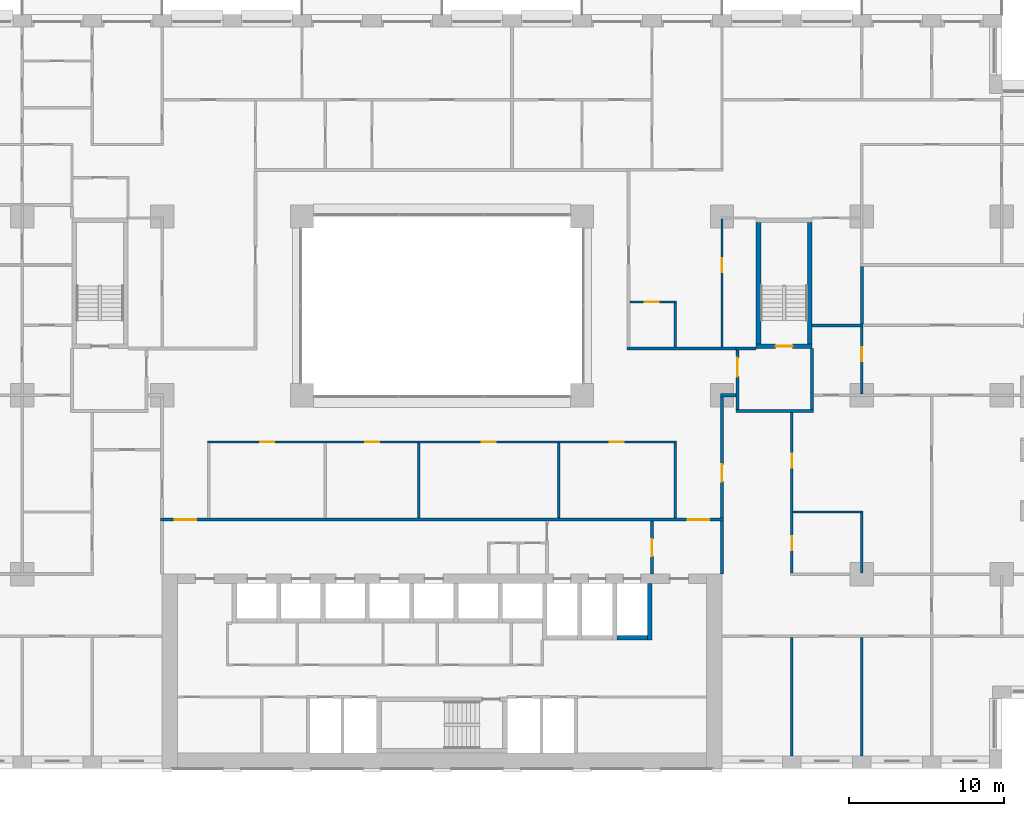
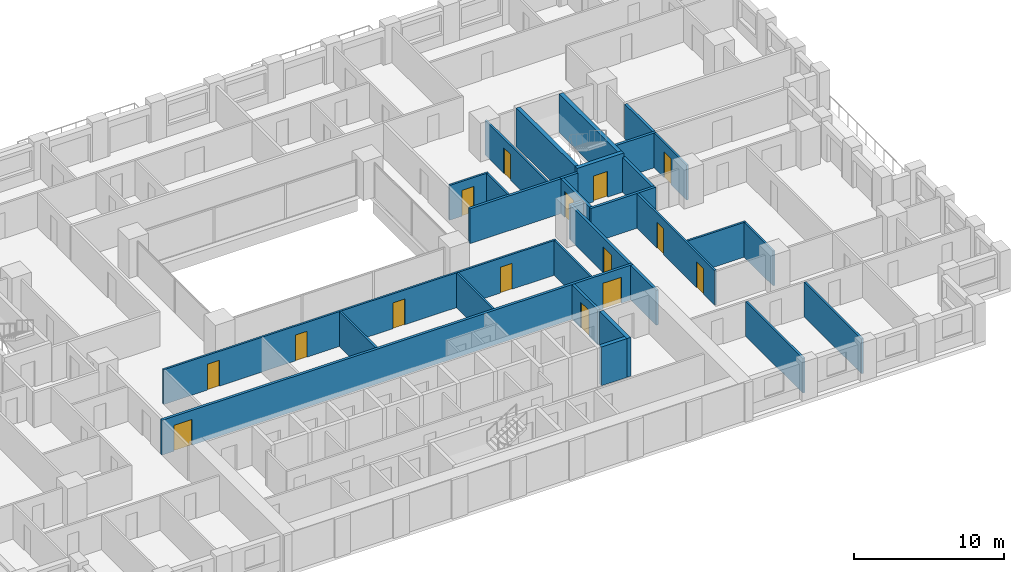
# One storey, part 12 of 19: 30 walls, 15 doors, 15 openings.
"""IFC4 building model written with IfcOpenShell, lengths in metres."""

from ifc_helpers import new_model, si_unit, direction, frame, frame_2d, origin, place, context, subcontext, project, spatial, rectangle, extrude, material, layer, layer_set, type_object, element, fill, save


model = new_model("IFC4")

# Units and contexts
model_context = context("Model", 3, precision=1e-05, world=origin(), true_north=direction((0.0, 1.0)))
body_context = subcontext(model_context, "Body", "Model", "MODEL_VIEW")
ifc_project = project(units=[si_unit("LENGTHUNIT", "METRE"), si_unit("AREAUNIT", "SQUARE_METRE"), si_unit("VOLUMEUNIT", "CUBIC_METRE"), si_unit("PLANEANGLEUNIT", "RADIAN"), si_unit("MASSUNIT", "GRAM", prefix="KILO")], contexts=[model_context])

# Site, building, storey
site_placement = place(None, origin())
site = spatial("IfcSite", under=ifc_project, at=site_placement, CompositionType="ELEMENT")
building_placement = place(site_placement, origin())
building = spatial("IfcBuilding", under=site, at=building_placement, Name="Brigalow Station Residences", CompositionType="ELEMENT")
storey_placement = place(building_placement, frame((0.0, 0.0, 32.10009765625)))
storey = spatial("IfcBuildingStorey", under=building, at=storey_placement, Name="L08", CompositionType="ELEMENT", Elevation=32.10009765625)

# Walls
ifc_material_1 = material(Name="Concrete C80", Category="concrete")
ifc_layer_1 = layer(ifc_material_1, 0.300048828125)
ifc_layer_set_1 = layer_set([ifc_layer_1], Name="CORE SHEAR WALL 300 C80")
wall_type_1 = type_object("IfcWallType", Name="CORE SHEAR WALL 300 C80", PredefinedType="SHEAR", material=ifc_layer_set_1)
wall_1_placement = place(storey_placement, frame((47.25, 8.39990234375, 0.0), z_axis=(0.0, 0.0, 1.0), x_axis=(1.0, 0.0, 0.0)))
element("IfcWall", 1, at=wall_1_placement, inside=storey, type_object=wall_type_1, Name="CORE WALL SH-SL1-S L08", PredefinedType="SHEAR", context=body_context, shape_type="SweptSolid", body=[
    extrude(rectangle(XDim=1.949951171875, YDim=0.300048828125, at=frame_2d((0.97509765625, 0.0))), origin(), (0.0, 0.0, 1.0), 3.14990234375),
])
wall_2_placement = place(storey_placement, frame((49.35009765625, 8.25, 0.0), z_axis=(0.0, 0.0, 1.0), x_axis=(0.0, 1.0, 0.0)))
element("IfcWall", 2, at=wall_2_placement, inside=storey, type_object=wall_type_1, Name="CORE WALL SH-SL1-E L08", PredefinedType="SHEAR", context=body_context, shape_type="SweptSolid", body=[
    extrude(rectangle(XDim=3.64990234375, YDim=0.300048828125, at=frame_2d((1.824951171875, 0.0))), origin(), (0.0, 0.0, 1.0), 3.14990234375),
])

# Wall, opening, door
wall_3_placement = place(storey_placement, frame((56.199951171875, 27.14990234375, 0.0), z_axis=(0.0, 0.0, 1.0), x_axis=(1.0, 0.0, 0.0)))
wall_3 = element("IfcWall", 3, at=wall_3_placement, inside=storey, type_object=wall_type_1, Name="CORE WALL ST-S3-S L08", PredefinedType="SHEAR", context=body_context, shape_type="SweptSolid", body=[
    extrude(rectangle(XDim=3.60009765625, YDim=0.300048828125, at=frame_2d((1.800048828125, 0.0))), origin(), (0.0, 0.0, 1.0), 3.14990234375),
])
opening_1_placement = place(wall_3_placement, frame((1.25, 0.0, 0.0)))
opening_1 = element("IfcOpeningElement", 4, at=opening_1_placement, cuts=wall_3, Name="Opening D-5018", PredefinedType="OPENING", context=body_context, shape_type="SweptSolid", body=[
    extrude(rectangle(XDim=1.10009765625, YDim=2.10009765625, at=frame_2d((0.550048828125, 1.050048828125))), frame((0.0, 0.16015625, 0.0), z_axis=(0.0, -1.0, 0.0), x_axis=(1.0, 0.0, 0.0)), (0.0, 0.0, 1.0), 0.320068359375),
])
ifc_material_2 = material(Name="Steel fire door leaf in steel frame", Category="steel")
door_type_1 = type_object("IfcDoorType", Name="STAIR DOOR 1100 x 2100 FD60S", OperationType="SINGLE_SWING_LEFT", PredefinedType="DOOR", material=ifc_material_2)
door_1_placement = place(opening_1_placement, origin())
door_1 = element("IfcDoor", 5, at=door_1_placement, inside=storey, type_object=door_type_1, Name="D-5018", OperationType="SINGLE_SWING_LEFT", OverallHeight=2.10009765625, OverallWidth=1.10009765625, PredefinedType="DOOR", context=body_context, shape_type="SweptSolid", body=[
    extrude(rectangle(XDim=1.10009765625, YDim=2.10009765625, at=frame_2d((0.550048828125, 1.050048828125))), frame((0.0, 0.02490234375, 0.0), z_axis=(0.0, -1.0, 0.0), x_axis=(1.0, 0.0, 0.0)), (0.0, 0.0, 1.0), 0.050048828125),
])
fill(opening_1, door_1)

# Walls
for number, where, z_axis, x_axis, name in (
    (6, (56.35009765625, 27.300048828125, 0.0), (0.0, 0.0, 1.0), (0.0, 1.0, 0.0), "CORE WALL ST-S3-W L08"),
    (7, (59.64990234375, 27.300048828125, 0.0), (0.0, 0.0, 1.0), (0.0, 1.0, 0.0), "CORE WALL ST-S3-E L08"),
):
    element("IfcWall", number, at=place(storey_placement, frame(where, z_axis=z_axis, x_axis=x_axis)), inside=storey, type_object=wall_type_1, Name=name, PredefinedType="SHEAR", context=body_context, shape_type="SweptSolid", body=[
        extrude(rectangle(XDim=7.800048828125, YDim=0.300048828125, at=frame_2d((3.89990234375, 0.0))), origin(), (0.0, 0.0, 1.0), 3.14990234375),
    ])
ifc_material_3 = material(Name="Concrete blockwork", Category="masonry")
ifc_layer_2 = layer(ifc_material_3, 0.199951171875)
ifc_layer_set_2 = layer_set([ifc_layer_2], Name="FIRE RATED CORE PARTITION 200")
wall_type_2 = type_object("IfcWallType", Name="FIRE RATED CORE PARTITION 200", PredefinedType="PARTITIONING", material=ifc_layer_set_2)
wall_4_placement = place(storey_placement, frame((54.89990234375, 23.0, 0.0), z_axis=(0.0, 0.0, 1.0), x_axis=(1.0, 0.0, 0.0)))
element("IfcWall", 8, at=wall_4_placement, inside=storey, type_object=wall_type_2, Name="PW-5024", PredefinedType="PARTITIONING", context=body_context, shape_type="SweptSolid", body=[
    extrude(rectangle(XDim=5.0, YDim=0.199951171875, at=frame_2d((2.5, 0.0))), origin(), (0.0, 0.0, 1.0), 2.829833984375),
])
wall_5_placement = place(storey_placement, frame((54.89990234375, 27.0, 0.0), z_axis=(0.0, 0.0, 1.0), x_axis=(1.0, 0.0, 0.0)))
element("IfcWall", 9, at=wall_5_placement, inside=storey, type_object=wall_type_2, Name="PW-5026", PredefinedType="PARTITIONING", context=body_context, shape_type="SweptSolid", body=[
    extrude(rectangle(XDim=1.300048828125, YDim=0.199951171875, at=frame_2d((0.64990234375, 0.0))), origin(), (0.0, 0.0, 1.0), 2.829833984375),
])

# Wall, opening, door
wall_6_placement = place(storey_placement, frame((49.5, 12.5, 0.0), z_axis=(0.0, 0.0, 1.0), x_axis=(0.0, 1.0, 0.0)))
wall_6 = element("IfcWall", 10, at=wall_6_placement, inside=storey, type_object=wall_type_2, Name="PW-5015", PredefinedType="PARTITIONING", context=body_context, shape_type="SweptSolid", body=[
    extrude(rectangle(XDim=3.39990234375, YDim=0.199951171875, at=frame_2d((1.699951171875, 0.0))), origin(), (0.0, 0.0, 1.0), 2.829833984375),
])
opening_2_placement = place(wall_6_placement, frame((1.14990234375, 0.0, 0.0)))
opening_2 = element("IfcOpeningElement", 11, at=opening_2_placement, cuts=wall_6, Name="Opening D-5014", PredefinedType="OPENING", context=body_context, shape_type="SweptSolid", body=[
    extrude(rectangle(XDim=1.10009765625, YDim=2.10009765625, at=frame_2d((0.550048828125, 1.050048828125))), frame((0.0, 0.10986328125, 0.0), z_axis=(0.0, -1.0, 0.0), x_axis=(1.0, 0.0, 0.0)), (0.0, 0.0, 1.0), 0.219970703125),
])
ifc_material_4 = material(Name="Steel fire door leaf in steel frame", Category="steel")
door_type_2 = type_object("IfcDoorType", Name="LOBBY DOOR 1100 x 2100 FD60S", OperationType="SINGLE_SWING_LEFT", PredefinedType="DOOR", material=ifc_material_4)
door_2_placement = place(opening_2_placement, origin())
door_2 = element("IfcDoor", 12, at=door_2_placement, inside=storey, type_object=door_type_2, Name="D-5014", OperationType="SINGLE_SWING_RIGHT", OverallHeight=2.10009765625, OverallWidth=1.10009765625, PredefinedType="DOOR", context=body_context, shape_type="SweptSolid", body=[
    extrude(rectangle(XDim=1.10009765625, YDim=2.10009765625, at=frame_2d((0.550048828125, 1.050048828125))), frame((0.0, 0.02490234375, 0.0), z_axis=(0.0, -1.0, 0.0), x_axis=(1.0, 0.0, 0.0)), (0.0, 0.0, 1.0), 0.050048828125),
])
fill(opening_2, door_2)

# Wall
wall_7_placement = place(storey_placement, frame((54.0, 12.5, 0.0), z_axis=(0.0, 0.0, 1.0), x_axis=(0.0, 1.0, 0.0)))
element("IfcWall", 13, at=wall_7_placement, inside=storey, type_object=wall_type_2, Name="PW-5016", PredefinedType="PARTITIONING", context=body_context, shape_type="SweptSolid", body=[
    extrude(rectangle(XDim=3.39990234375, YDim=0.199951171875, at=frame_2d((1.699951171875, 0.0))), origin(), (0.0, 0.0, 1.0), 2.829833984375),
])

# Wall, opening, door
wall_8_placement = place(storey_placement, frame((55.0, 23.10009765625, 0.0), z_axis=(0.0, 0.0, 1.0), x_axis=(0.0, 1.0, 0.0)))
wall_8 = element("IfcWall", 14, at=wall_8_placement, inside=storey, type_object=wall_type_2, Name="PW-5036", PredefinedType="PARTITIONING", context=body_context, shape_type="SweptSolid", body=[
    extrude(rectangle(XDim=3.7998046875, YDim=0.199951171875, at=frame_2d((1.89990234375, 0.0))), origin(), (0.0, 0.0, 1.0), 2.829833984375),
])
opening_3_placement = place(wall_8_placement, frame((2.10009765625, 0.0, 0.0)))
opening_3 = element("IfcOpeningElement", 15, at=opening_3_placement, cuts=wall_8, Name="Opening D-5019", PredefinedType="OPENING", context=body_context, shape_type="SweptSolid", body=[
    extrude(rectangle(XDim=1.199951171875, YDim=2.10009765625, at=frame_2d((0.60009765625, 1.050048828125))), frame((0.0, 0.10986328125, 0.0), z_axis=(0.0, -1.0, 0.0), x_axis=(1.0, 0.0, 0.0)), (0.0, 0.0, 1.0), 0.219970703125),
])
ifc_material_5 = material(Name="Steel fire door leaf in steel frame", Category="steel")
door_type_3 = type_object("IfcDoorType", Name="STAIR LOBBY DOOR 1200 x 2100 FD60S", OperationType="SINGLE_SWING_LEFT", PredefinedType="DOOR", material=ifc_material_5)
door_3_placement = place(opening_3_placement, frame((1.199951171875, 0.0, 0.0), z_axis=(0.0, 0.0, 1.0), x_axis=(-1.0, 0.0, 0.0)))
door_3 = element("IfcDoor", 16, at=door_3_placement, inside=storey, type_object=door_type_3, Name="D-5019", OperationType="SINGLE_SWING_LEFT", OverallHeight=2.10009765625, OverallWidth=1.199951171875, PredefinedType="DOOR", context=body_context, shape_type="SweptSolid", body=[
    extrude(rectangle(XDim=1.199951171875, YDim=2.10009765625, at=frame_2d((0.60009765625, 1.050048828125))), frame((0.0, 0.02490234375, 0.0), z_axis=(0.0, -1.0, 0.0), x_axis=(1.0, 0.0, 0.0)), (0.0, 0.0, 1.0), 0.050048828125),
])
fill(opening_3, door_3)

# Wall
wall_9_placement = place(storey_placement, frame((59.800048828125, 23.10009765625, 0.0), z_axis=(0.0, 0.0, 1.0), x_axis=(0.0, 1.0, 0.0)))
element("IfcWall", 17, at=wall_9_placement, inside=storey, type_object=wall_type_2, Name="PW-5037", PredefinedType="PARTITIONING", context=body_context, shape_type="SweptSolid", body=[
    extrude(rectangle(XDim=3.89990234375, YDim=0.199951171875, at=frame_2d((1.949951171875, 0.0))), origin(), (0.0, 0.0, 1.0), 2.829833984375),
])

# Wall, openings, doors
ifc_material_6 = material(Name="Plasterboard on steel stud partition", Category="steel")
ifc_layer_3 = layer(ifc_material_6, 0.14990234375)
ifc_layer_set_3 = layer_set([ifc_layer_3], Name="FLAT PARTITION 150")
wall_type_3 = type_object("IfcWallType", Name="FLAT PARTITION 150", PredefinedType="PARTITIONING", material=ifc_layer_set_3)
wall_10_placement = place(storey_placement, frame((20.925048828125, 21.0, 0.0), z_axis=(0.0, 0.0, 1.0), x_axis=(1.0, 0.0, 0.0)))
wall_10 = element("IfcWall", 18, at=wall_10_placement, inside=storey, type_object=wall_type_3, Name="PW-1B01", PredefinedType="PARTITIONING", context=body_context, shape_type="SweptSolid", body=[
    extrude(rectangle(XDim=30.14990234375, YDim=0.14990234375, at=frame_2d((15.074951171875, 0.0))), origin(), (0.0, 0.0, 1.0), 2.829833984375),
])
opening_4_placement = place(wall_10_placement, frame((3.375, 0.0, 0.0)))
opening_4 = element("IfcOpeningElement", 19, at=opening_4_placement, cuts=wall_10, Name="Opening D-1B70", PredefinedType="OPENING", context=body_context, shape_type="SweptSolid", body=[
    extrude(rectangle(XDim=0.89990234375, YDim=2.10009765625, at=frame_2d((0.449951171875, 1.050048828125))), frame((0.0, 0.0849609375, 0.0), z_axis=(0.0, -1.0, 0.0), x_axis=(1.0, 0.0, 0.0)), (0.0, 0.0, 1.0), 0.169921875),
])
opening_5_placement = place(wall_10_placement, frame((10.125, 0.0, 0.0)))
opening_5 = element("IfcOpeningElement", 20, at=opening_5_placement, cuts=wall_10, Name="Opening D-1B71", PredefinedType="OPENING", context=body_context, shape_type="SweptSolid", body=[
    extrude(rectangle(XDim=0.89990234375, YDim=2.10009765625, at=frame_2d((0.449951171875, 1.050048828125))), frame((0.0, 0.0849609375, 0.0), z_axis=(0.0, -1.0, 0.0), x_axis=(1.0, 0.0, 0.0)), (0.0, 0.0, 1.0), 0.169921875),
])
opening_6_placement = place(wall_10_placement, frame((17.625, 0.0, 0.0)))
opening_6 = element("IfcOpeningElement", 21, at=opening_6_placement, cuts=wall_10, Name="Opening D-1B72", PredefinedType="OPENING", context=body_context, shape_type="SweptSolid", body=[
    extrude(rectangle(XDim=0.89990234375, YDim=2.10009765625, at=frame_2d((0.449951171875, 1.050048828125))), frame((0.0, 0.0849609375, 0.0), z_axis=(0.0, -1.0, 0.0), x_axis=(1.0, 0.0, 0.0)), (0.0, 0.0, 1.0), 0.169921875),
])
opening_7_placement = place(wall_10_placement, frame((25.875, 0.0, 0.0)))
opening_7 = element("IfcOpeningElement", 22, at=opening_7_placement, cuts=wall_10, Name="Opening D-1B73", PredefinedType="OPENING", context=body_context, shape_type="SweptSolid", body=[
    extrude(rectangle(XDim=0.89990234375, YDim=2.10009765625, at=frame_2d((0.449951171875, 1.050048828125))), frame((0.0, 0.0849609375, 0.0), z_axis=(0.0, -1.0, 0.0), x_axis=(1.0, 0.0, 0.0)), (0.0, 0.0, 1.0), 0.169921875),
])
ifc_material_7 = material(Name="Solid-core timber door leaf", Category="wood")
door_type_4 = type_object("IfcDoorType", Name="INTERNAL DOOR 900 x 2100", OperationType="SINGLE_SWING_LEFT", PredefinedType="DOOR", material=ifc_material_7)
door_4_placement = place(opening_4_placement, frame((0.89990234375, 0.0, 0.0), z_axis=(0.0, 0.0, 1.0), x_axis=(-1.0, 0.0, 0.0)))
door_4 = element("IfcDoor", 23, at=door_4_placement, inside=storey, type_object=door_type_4, Name="D-1B70", OperationType="SINGLE_SWING_LEFT", OverallHeight=2.10009765625, OverallWidth=0.89990234375, PredefinedType="DOOR", context=body_context, shape_type="SweptSolid", body=[
    extrude(rectangle(XDim=0.89990234375, YDim=2.10009765625, at=frame_2d((0.449951171875, 1.050048828125))), frame((0.0, 0.02490234375, 0.0), z_axis=(0.0, -1.0, 0.0), x_axis=(1.0, 0.0, 0.0)), (0.0, 0.0, 1.0), 0.050048828125),
])
fill(opening_4, door_4)
door_5_placement = place(opening_5_placement, frame((0.89990234375, 0.0, 0.0), z_axis=(0.0, 0.0, 1.0), x_axis=(-1.0, 0.0, 0.0)))
door_5 = element("IfcDoor", 24, at=door_5_placement, inside=storey, type_object=door_type_4, Name="D-1B71", OperationType="SINGLE_SWING_LEFT", OverallHeight=2.10009765625, OverallWidth=0.89990234375, PredefinedType="DOOR", context=body_context, shape_type="SweptSolid", body=[
    extrude(rectangle(XDim=0.89990234375, YDim=2.10009765625, at=frame_2d((0.449951171875, 1.050048828125))), frame((0.0, 0.02490234375, 0.0), z_axis=(0.0, -1.0, 0.0), x_axis=(1.0, 0.0, 0.0)), (0.0, 0.0, 1.0), 0.050048828125),
])
fill(opening_5, door_5)
door_6_placement = place(opening_6_placement, frame((0.89990234375, 0.0, 0.0), z_axis=(0.0, 0.0, 1.0), x_axis=(-1.0, 0.0, 0.0)))
door_6 = element("IfcDoor", 25, at=door_6_placement, inside=storey, type_object=door_type_4, Name="D-1B72", OperationType="SINGLE_SWING_LEFT", OverallHeight=2.10009765625, OverallWidth=0.89990234375, PredefinedType="DOOR", context=body_context, shape_type="SweptSolid", body=[
    extrude(rectangle(XDim=0.89990234375, YDim=2.10009765625, at=frame_2d((0.449951171875, 1.050048828125))), frame((0.0, 0.02490234375, 0.0), z_axis=(0.0, -1.0, 0.0), x_axis=(1.0, 0.0, 0.0)), (0.0, 0.0, 1.0), 0.050048828125),
])
fill(opening_6, door_6)
door_7_placement = place(opening_7_placement, frame((0.89990234375, 0.0, 0.0), z_axis=(0.0, 0.0, 1.0), x_axis=(-1.0, 0.0, 0.0)))
door_7 = element("IfcDoor", 26, at=door_7_placement, inside=storey, type_object=door_type_4, Name="D-1B73", OperationType="SINGLE_SWING_RIGHT", OverallHeight=2.10009765625, OverallWidth=0.89990234375, PredefinedType="DOOR", context=body_context, shape_type="SweptSolid", body=[
    extrude(rectangle(XDim=0.89990234375, YDim=2.10009765625, at=frame_2d((0.449951171875, 1.050048828125))), frame((0.0, 0.02490234375, 0.0), z_axis=(0.0, -1.0, 0.0), x_axis=(1.0, 0.0, 0.0)), (0.0, 0.0, 1.0), 0.050048828125),
])
fill(opening_7, door_7)

# Wall
wall_11_placement = place(storey_placement, frame((58.574951171875, 16.5, 0.0), z_axis=(0.0, 0.0, 1.0), x_axis=(1.0, 0.0, 0.0)))
element("IfcWall", 27, at=wall_11_placement, inside=storey, type_object=wall_type_3, Name="PW-1B16", PredefinedType="PARTITIONING", context=body_context, shape_type="SweptSolid", body=[
    extrude(rectangle(XDim=4.5, YDim=0.14990234375, at=frame_2d((2.25, 0.0))), origin(), (0.0, 0.0, 1.0), 2.829833984375),
])

# Wall, opening, door
wall_12_placement = place(storey_placement, frame((48.10009765625, 30.0, 0.0), z_axis=(0.0, 0.0, 1.0), x_axis=(1.0, 0.0, 0.0)))
wall_12 = element("IfcWall", 28, at=wall_12_placement, inside=storey, type_object=wall_type_3, Name="PW-1B35", PredefinedType="PARTITIONING", context=body_context, shape_type="SweptSolid", body=[
    extrude(rectangle(XDim=2.974853515625, YDim=0.14990234375, at=frame_2d((1.4873046875, 0.0))), origin(), (0.0, 0.0, 1.0), 2.829833984375),
])
opening_8_placement = place(wall_12_placement, frame((0.949951171875, 0.0, 0.0)))
opening_8 = element("IfcOpeningElement", 29, at=opening_8_placement, cuts=wall_12, Name="Opening D-1B47", PredefinedType="OPENING", context=body_context, shape_type="SweptSolid", body=[
    extrude(rectangle(XDim=0.89990234375, YDim=2.10009765625, at=frame_2d((0.449951171875, 1.050048828125))), frame((0.0, 0.0849609375, 0.0), z_axis=(0.0, -1.0, 0.0), x_axis=(1.0, 0.0, 0.0)), (0.0, 0.0, 1.0), 0.169921875),
])
door_8_placement = place(opening_8_placement, frame((0.89990234375, 0.0, 0.0), z_axis=(0.0, 0.0, 1.0), x_axis=(-1.0, 0.0, 0.0)))
door_8 = element("IfcDoor", 30, at=door_8_placement, inside=storey, type_object=door_type_4, Name="D-1B47", OperationType="SINGLE_SWING_RIGHT", OverallHeight=2.10009765625, OverallWidth=0.89990234375, PredefinedType="DOOR", context=body_context, shape_type="SweptSolid", body=[
    extrude(rectangle(XDim=0.89990234375, YDim=2.10009765625, at=frame_2d((0.449951171875, 1.050048828125))), frame((0.0, 0.02490234375, 0.0), z_axis=(0.0, -1.0, 0.0), x_axis=(1.0, 0.0, 0.0)), (0.0, 0.0, 1.0), 0.050048828125),
])
fill(opening_8, door_8)

wall_13_placement = place(storey_placement, frame((54.0, 27.10009765625, 0.0), z_axis=(0.0, 0.0, 1.0), x_axis=(0.0, 1.0, 0.0)))
wall_13 = element("IfcWall", 31, at=wall_13_placement, inside=storey, type_object=wall_type_3, Name="PW-1B40", PredefinedType="PARTITIONING", context=body_context, shape_type="SweptSolid", body=[
    extrude(rectangle(XDim=8.224853515625, YDim=0.14990234375, at=frame_2d((4.1123046875, 0.0))), origin(), (0.0, 0.0, 1.0), 2.829833984375),
])
opening_9_placement = place(wall_13_placement, frame((4.824951171875, 0.0, 0.0)))
opening_9 = element("IfcOpeningElement", 32, at=opening_9_placement, cuts=wall_13, Name="Opening D-1B49", PredefinedType="OPENING", context=body_context, shape_type="SweptSolid", body=[
    extrude(rectangle(XDim=0.89990234375, YDim=2.10009765625, at=frame_2d((0.449951171875, 1.050048828125))), frame((0.0, 0.0849609375, 0.0), z_axis=(0.0, -1.0, 0.0), x_axis=(1.0, 0.0, 0.0)), (0.0, 0.0, 1.0), 0.169921875),
])
door_9_placement = place(opening_9_placement, frame((0.89990234375, 0.0, 0.0), z_axis=(0.0, 0.0, 1.0), x_axis=(-1.0, 0.0, 0.0)))
door_9 = element("IfcDoor", 33, at=door_9_placement, inside=storey, type_object=door_type_4, Name="D-1B49", OperationType="SINGLE_SWING_LEFT", OverallHeight=2.10009765625, OverallWidth=0.89990234375, PredefinedType="DOOR", context=body_context, shape_type="SweptSolid", body=[
    extrude(rectangle(XDim=0.89990234375, YDim=2.10009765625, at=frame_2d((0.449951171875, 1.050048828125))), frame((0.0, 0.02490234375, 0.0), z_axis=(0.0, -1.0, 0.0), x_axis=(1.0, 0.0, 0.0)), (0.0, 0.0, 1.0), 0.050048828125),
])
fill(opening_9, door_9)

# Walls
wall_14_placement = place(storey_placement, frame((51.0, 16.10009765625, 0.0), z_axis=(0.0, 0.0, 1.0), x_axis=(0.0, 1.0, 0.0)))
element("IfcWall", 34, at=wall_14_placement, inside=storey, type_object=wall_type_3, Name="PW-1B44", PredefinedType="PARTITIONING", context=body_context, shape_type="SweptSolid", body=[
    extrude(rectangle(XDim=4.824951171875, YDim=0.14990234375, at=frame_2d((2.41259765625, 0.0))), origin(), (0.0, 0.0, 1.0), 2.829833984375),
])
wall_15_placement = place(storey_placement, frame((51.0, 27.10009765625, 0.0), z_axis=(0.0, 0.0, 1.0), x_axis=(0.0, 1.0, 0.0)))
element("IfcWall", 35, at=wall_15_placement, inside=storey, type_object=wall_type_3, Name="PW-1B45", PredefinedType="PARTITIONING", context=body_context, shape_type="SweptSolid", body=[
    extrude(rectangle(XDim=2.824951171875, YDim=0.14990234375, at=frame_2d((1.41259765625, 0.0))), origin(), (0.0, 0.0, 1.0), 2.829833984375),
])
wall_16_placement = place(storey_placement, frame((63.0, 0.800048828125, 0.0), z_axis=(0.0, 0.0, 1.0), x_axis=(0.0, 1.0, 0.0)))
element("IfcWall", 36, at=wall_16_placement, inside=storey, type_object=wall_type_3, Name="PW-1B68", PredefinedType="PARTITIONING", context=body_context, shape_type="SweptSolid", body=[
    extrude(rectangle(XDim=7.625, YDim=0.14990234375, at=frame_2d((3.8125, 0.0))), origin(), (0.0, 0.0, 1.0), 2.829833984375),
])
wall_17_placement = place(storey_placement, frame((63.0, 12.574951171875, 0.0), z_axis=(0.0, 0.0, 1.0), x_axis=(0.0, 1.0, 0.0)))
element("IfcWall", 37, at=wall_17_placement, inside=storey, type_object=wall_type_3, Name="PW-1B69", PredefinedType="PARTITIONING", context=body_context, shape_type="SweptSolid", body=[
    extrude(rectangle(XDim=3.85009765625, YDim=0.14990234375, at=frame_2d((1.925048828125, 0.0))), origin(), (0.0, 0.0, 1.0), 2.829833984375),
])

# Wall, opening, door
wall_18_placement = place(storey_placement, frame((63.0, 24.074951171875, 0.0), z_axis=(0.0, 0.0, 1.0), x_axis=(0.0, 1.0, 0.0)))
wall_18 = element("IfcWall", 38, at=wall_18_placement, inside=storey, type_object=wall_type_3, Name="PW-1B70", PredefinedType="PARTITIONING", context=body_context, shape_type="SweptSolid", body=[
    extrude(rectangle(XDim=4.35009765625, YDim=0.14990234375, at=frame_2d((2.175048828125, 0.0))), origin(), (0.0, 0.0, 1.0), 2.829833984375),
])
opening_10_placement = place(wall_18_placement, frame((2.10009765625, 0.0, 0.0)))
opening_10 = element("IfcOpeningElement", 39, at=opening_10_placement, cuts=wall_18, Name="Opening D-1B61", PredefinedType="OPENING", context=body_context, shape_type="SweptSolid", body=[
    extrude(rectangle(XDim=0.89990234375, YDim=2.10009765625, at=frame_2d((0.449951171875, 1.050048828125))), frame((0.0, 0.0849609375, 0.0), z_axis=(0.0, -1.0, 0.0), x_axis=(1.0, 0.0, 0.0)), (0.0, 0.0, 1.0), 0.169921875),
])
door_10_placement = place(opening_10_placement, origin())
door_10 = element("IfcDoor", 40, at=door_10_placement, inside=storey, type_object=door_type_4, Name="D-1B61", OperationType="SINGLE_SWING_RIGHT", OverallHeight=2.10009765625, OverallWidth=0.89990234375, PredefinedType="DOOR", context=body_context, shape_type="SweptSolid", body=[
    extrude(rectangle(XDim=0.89990234375, YDim=2.10009765625, at=frame_2d((0.449951171875, 1.050048828125))), frame((0.0, 0.02490234375, 0.0), z_axis=(0.0, -1.0, 0.0), x_axis=(1.0, 0.0, 0.0)), (0.0, 0.0, 1.0), 0.050048828125),
])
fill(opening_10, door_10)

# Wall
wall_19_placement = place(storey_placement, frame((58.5, 0.800048828125, 0.0), z_axis=(0.0, 0.0, 1.0), x_axis=(0.0, 1.0, 0.0)))
element("IfcWall", 41, at=wall_19_placement, inside=storey, type_object=wall_type_3, Name="PW-1B83", PredefinedType="PARTITIONING", context=body_context, shape_type="SweptSolid", body=[
    extrude(rectangle(XDim=7.625, YDim=0.14990234375, at=frame_2d((3.8125, 0.0))), origin(), (0.0, 0.0, 1.0), 2.829833984375),
])

# Wall, openings, doors
wall_20_placement = place(storey_placement, frame((58.5, 12.574951171875, 0.0), z_axis=(0.0, 0.0, 1.0), x_axis=(0.0, 1.0, 0.0)))
wall_20 = element("IfcWall", 42, at=wall_20_placement, inside=storey, type_object=wall_type_3, Name="PW-1B84", PredefinedType="PARTITIONING", context=body_context, shape_type="SweptSolid", body=[
    extrude(rectangle(XDim=10.324951171875, YDim=0.14990234375, at=frame_2d((5.16259765625, 0.0))), origin(), (0.0, 0.0, 1.0), 2.829833984375),
])
opening_11_placement = place(wall_20_placement, frame((1.47509765625, 0.0, 0.0)))
opening_11 = element("IfcOpeningElement", 43, at=opening_11_placement, cuts=wall_20, Name="Opening D-1B54", PredefinedType="OPENING", context=body_context, shape_type="SweptSolid", body=[
    extrude(rectangle(XDim=0.89990234375, YDim=2.10009765625, at=frame_2d((0.449951171875, 1.050048828125))), frame((0.0, 0.0849609375, 0.0), z_axis=(0.0, -1.0, 0.0), x_axis=(1.0, 0.0, 0.0)), (0.0, 0.0, 1.0), 0.169921875),
])
opening_12_placement = place(wall_20_placement, frame((6.75, 0.0, 0.0)))
opening_12 = element("IfcOpeningElement", 44, at=opening_12_placement, cuts=wall_20, Name="Opening D-1B64", PredefinedType="OPENING", context=body_context, shape_type="SweptSolid", body=[
    extrude(rectangle(XDim=0.89990234375, YDim=2.10009765625, at=frame_2d((0.449951171875, 1.050048828125))), frame((0.0, 0.0849609375, 0.0), z_axis=(0.0, -1.0, 0.0), x_axis=(1.0, 0.0, 0.0)), (0.0, 0.0, 1.0), 0.169921875),
])
door_11_placement = place(opening_11_placement, frame((0.89990234375, 0.0, 0.0), z_axis=(0.0, 0.0, 1.0), x_axis=(-1.0, 0.0, 0.0)))
door_11 = element("IfcDoor", 45, at=door_11_placement, inside=storey, type_object=door_type_4, Name="D-1B54", OperationType="SINGLE_SWING_RIGHT", OverallHeight=2.10009765625, OverallWidth=0.89990234375, PredefinedType="DOOR", context=body_context, shape_type="SweptSolid", body=[
    extrude(rectangle(XDim=0.89990234375, YDim=2.10009765625, at=frame_2d((0.449951171875, 1.050048828125))), frame((0.0, 0.02490234375, 0.0), z_axis=(0.0, -1.0, 0.0), x_axis=(1.0, 0.0, 0.0)), (0.0, 0.0, 1.0), 0.050048828125),
])
fill(opening_11, door_11)
door_12_placement = place(opening_12_placement, frame((0.89990234375, 0.0, 0.0), z_axis=(0.0, 0.0, 1.0), x_axis=(-1.0, 0.0, 0.0)))
door_12 = element("IfcDoor", 46, at=door_12_placement, inside=storey, type_object=door_type_4, Name="D-1B64", OperationType="SINGLE_SWING_LEFT", OverallHeight=2.10009765625, OverallWidth=0.89990234375, PredefinedType="DOOR", context=body_context, shape_type="SweptSolid", body=[
    extrude(rectangle(XDim=0.89990234375, YDim=2.10009765625, at=frame_2d((0.449951171875, 1.050048828125))), frame((0.0, 0.02490234375, 0.0), z_axis=(0.0, -1.0, 0.0), x_axis=(1.0, 0.0, 0.0)), (0.0, 0.0, 1.0), 0.050048828125),
])
fill(opening_12, door_12)

# Walls
for number, where, z_axis, x_axis, name in (
    (47, (34.5, 16.10009765625, 0.0), (0.0, 0.0, 1.0), (0.0, 1.0, 0.0), "PW-1B85"),
    (48, (43.5, 16.10009765625, 0.0), (0.0, 0.0, 1.0), (0.0, 1.0, 0.0), "PW-1B86"),
):
    element("IfcWall", number, at=place(storey_placement, frame(where, z_axis=z_axis, x_axis=x_axis)), inside=storey, type_object=wall_type_3, Name=name, PredefinedType="PARTITIONING", context=body_context, shape_type="SweptSolid", body=[
        extrude(rectangle(XDim=4.824951171875, YDim=0.14990234375, at=frame_2d((2.41259765625, 0.0))), origin(), (0.0, 0.0, 1.0), 2.829833984375),
    ])
ifc_material_8 = material(Name="Plasterboard on steel stud partition", Category="steel")
ifc_layer_4 = layer(ifc_material_8, 0.199951171875)
ifc_layer_set_4 = layer_set([ifc_layer_4], Name="PARTY AND CORRIDOR WALL 200")
wall_type_4 = type_object("IfcWallType", Name="PARTY AND CORRIDOR WALL 200", PredefinedType="PARTITIONING", material=ifc_layer_set_4)
wall_21_placement = place(storey_placement, frame((53.89990234375, 24.0, 0.0), z_axis=(0.0, 0.0, 1.0), x_axis=(1.0, 0.0, 0.0)))
element("IfcWall", 49, at=wall_21_placement, inside=storey, type_object=wall_type_4, Name="PW-1B05", PredefinedType="PARTITIONING", context=body_context, shape_type="SweptSolid", body=[
    extrude(rectangle(XDim=1.0, YDim=0.199951171875, at=frame_2d((0.5, 0.0))), origin(), (0.0, 0.0, 1.0), 2.829833984375),
])
wall_22_placement = place(storey_placement, frame((47.89990234375, 27.0, 0.0), z_axis=(0.0, 0.0, 1.0), x_axis=(1.0, 0.0, 0.0)))
element("IfcWall", 50, at=wall_22_placement, inside=storey, type_object=wall_type_4, Name="PW-1B07", PredefinedType="PARTITIONING", context=body_context, shape_type="SweptSolid", body=[
    extrude(rectangle(XDim=7.0, YDim=0.199951171875, at=frame_2d((3.5, 0.0))), origin(), (0.0, 0.0, 1.0), 2.829833984375),
])
wall_23_placement = place(storey_placement, frame((59.800048828125, 28.5, 0.0), z_axis=(0.0, 0.0, 1.0), x_axis=(1.0, 0.0, 0.0)))
element("IfcWall", 51, at=wall_23_placement, inside=storey, type_object=wall_type_4, Name="PW-1B21", PredefinedType="PARTITIONING", context=body_context, shape_type="SweptSolid", body=[
    extrude(rectangle(XDim=3.27490234375, YDim=0.199951171875, at=frame_2d((1.637451171875, 0.0))), origin(), (0.0, 0.0, 1.0), 2.829833984375),
])

# Wall, openings, doors
wall_24_placement = place(storey_placement, frame((17.89990234375, 16.0, 0.0), z_axis=(0.0, 0.0, 1.0), x_axis=(1.0, 0.0, 0.0)))
wall_24 = element("IfcWall", 52, at=wall_24_placement, inside=storey, type_object=wall_type_4, Name="PW-1B36", PredefinedType="PARTITIONING", context=body_context, shape_type="SweptSolid", body=[
    extrude(rectangle(XDim=36.2001953125, YDim=0.199951171875, at=frame_2d((18.10009765625, 0.0))), origin(), (0.0, 0.0, 1.0), 2.829833984375),
])
opening_13_placement = place(wall_24_placement, frame((0.89990234375, 0.0, 0.0)))
opening_13 = element("IfcOpeningElement", 53, at=opening_13_placement, cuts=wall_24, Name="Opening D-1B01", PredefinedType="OPENING", context=body_context, shape_type="SweptSolid", body=[
    extrude(rectangle(XDim=1.39990234375, YDim=2.10009765625, at=frame_2d((0.699951171875, 1.050048828125))), frame((0.0, 0.10986328125, 0.0), z_axis=(0.0, -1.0, 0.0), x_axis=(1.0, 0.0, 0.0)), (0.0, 0.0, 1.0), 0.219970703125),
])
opening_14_placement = place(wall_24_placement, frame((33.89990234375, 0.0, 0.0)))
opening_14 = element("IfcOpeningElement", 54, at=opening_14_placement, cuts=wall_24, Name="Opening D-1B02", PredefinedType="OPENING", context=body_context, shape_type="SweptSolid", body=[
    extrude(rectangle(XDim=1.39990234375, YDim=2.10009765625, at=frame_2d((0.699951171875, 1.050048828125))), frame((0.0, 0.10986328125, 0.0), z_axis=(0.0, -1.0, 0.0), x_axis=(1.0, 0.0, 0.0)), (0.0, 0.0, 1.0), 0.219970703125),
])
ifc_material_9 = material(Name="Solid-core timber door leaf", Category="wood")
door_type_5 = type_object("IfcDoorType", Name="CORRIDOR FIRE DOOR 1400 x 2100 FRL -/60/30", OperationType="DOUBLE_DOOR_SINGLE_SWING", PredefinedType="DOOR", material=ifc_material_9)
door_13_placement = place(opening_13_placement, frame((1.39990234375, 0.0, 0.0), z_axis=(0.0, 0.0, 1.0), x_axis=(-1.0, 0.0, 0.0)))
door_13 = element("IfcDoor", 55, at=door_13_placement, inside=storey, type_object=door_type_5, Name="D-1B01", OperationType="DOUBLE_DOOR_SINGLE_SWING", OverallHeight=2.10009765625, OverallWidth=1.39990234375, PredefinedType="DOOR", context=body_context, shape_type="SweptSolid", body=[
    extrude(rectangle(XDim=1.39990234375, YDim=2.10009765625, at=frame_2d((0.699951171875, 1.050048828125))), frame((0.0, 0.02490234375, 0.0), z_axis=(0.0, -1.0, 0.0), x_axis=(1.0, 0.0, 0.0)), (0.0, 0.0, 1.0), 0.050048828125),
])
fill(opening_13, door_13)
door_14_placement = place(opening_14_placement, frame((1.39990234375, 0.0, 0.0), z_axis=(0.0, 0.0, 1.0), x_axis=(-1.0, 0.0, 0.0)))
door_14 = element("IfcDoor", 56, at=door_14_placement, inside=storey, type_object=door_type_5, Name="D-1B02", OperationType="DOUBLE_DOOR_SINGLE_SWING", OverallHeight=2.10009765625, OverallWidth=1.39990234375, PredefinedType="DOOR", context=body_context, shape_type="SweptSolid", body=[
    extrude(rectangle(XDim=1.39990234375, YDim=2.10009765625, at=frame_2d((0.699951171875, 1.050048828125))), frame((0.0, 0.02490234375, 0.0), z_axis=(0.0, -1.0, 0.0), x_axis=(1.0, 0.0, 0.0)), (0.0, 0.0, 1.0), 0.050048828125),
])
fill(opening_14, door_14)

# Wall, opening, door
wall_25_placement = place(storey_placement, frame((54.0, 16.10009765625, 0.0), z_axis=(0.0, 0.0, 1.0), x_axis=(0.0, 1.0, 0.0)))
wall_25 = element("IfcWall", 57, at=wall_25_placement, inside=storey, type_object=wall_type_4, Name="PW-1B42", PredefinedType="PARTITIONING", context=body_context, shape_type="SweptSolid", body=[
    extrude(rectangle(XDim=7.7998046875, YDim=0.199951171875, at=frame_2d((3.89990234375, 0.0))), origin(), (0.0, 0.0, 1.0), 2.829833984375),
])
opening_15_placement = place(wall_25_placement, frame((2.35009765625, 0.0, 0.0)))
opening_15 = element("IfcOpeningElement", 58, at=opening_15_placement, cuts=wall_25, Name="Opening D-1B69", PredefinedType="OPENING", context=body_context, shape_type="SweptSolid", body=[
    extrude(rectangle(XDim=1.10009765625, YDim=2.10009765625, at=frame_2d((0.550048828125, 1.050048828125))), frame((0.0, 0.10986328125, 0.0), z_axis=(0.0, -1.0, 0.0), x_axis=(1.0, 0.0, 0.0)), (0.0, 0.0, 1.0), 0.219970703125),
])
ifc_material_10 = material(Name="Solid-core timber door leaf", Category="wood")
door_type_6 = type_object("IfcDoorType", Name="FLAT ENTRANCE DOOR 1100 x 2100 FRL -/60/30", OperationType="SINGLE_SWING_LEFT", PredefinedType="DOOR", material=ifc_material_10)
door_15_placement = place(opening_15_placement, frame((1.10009765625, 0.0, 0.0), z_axis=(0.0, 0.0, 1.0), x_axis=(-1.0, 0.0, 0.0)))
door_15 = element("IfcDoor", 59, at=door_15_placement, inside=storey, type_object=door_type_6, Name="D-1B69", OperationType="SINGLE_SWING_LEFT", OverallHeight=2.10009765625, OverallWidth=1.10009765625, PredefinedType="DOOR", context=body_context, shape_type="SweptSolid", body=[
    extrude(rectangle(XDim=1.10009765625, YDim=2.10009765625, at=frame_2d((0.550048828125, 1.050048828125))), frame((0.0, 0.02490234375, 0.0), z_axis=(0.0, -1.0, 0.0), x_axis=(1.0, 0.0, 0.0)), (0.0, 0.0, 1.0), 0.050048828125),
])
fill(opening_15, door_15)

# Wall
wall_26_placement = place(storey_placement, frame((63.0, 28.574951171875, 0.0), z_axis=(0.0, 0.0, 1.0), x_axis=(0.0, 1.0, 0.0)))
element("IfcWall", 60, at=wall_26_placement, inside=storey, type_object=wall_type_4, Name="PW-1B73", PredefinedType="PARTITIONING", context=body_context, shape_type="SweptSolid", body=[
    extrude(rectangle(XDim=3.699951171875, YDim=0.199951171875, at=frame_2d((1.85009765625, 0.0))), origin(), (0.0, 0.0, 1.0), 2.829833984375),
])

save(model, "model.ifc")
